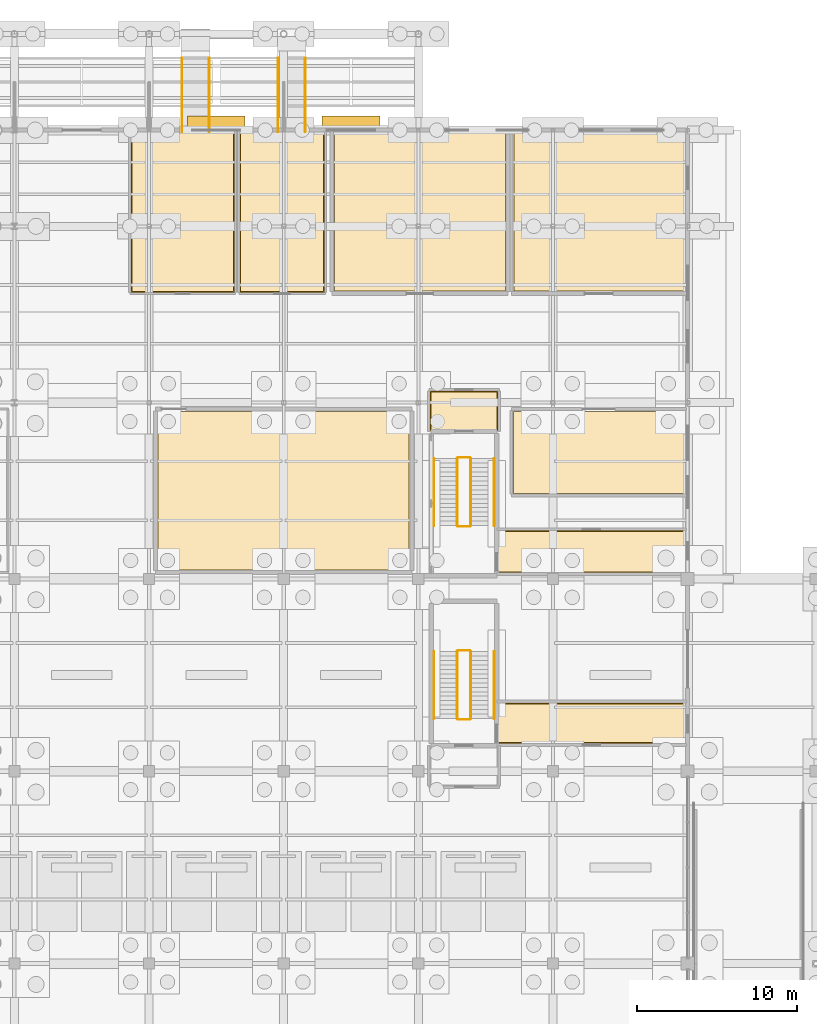
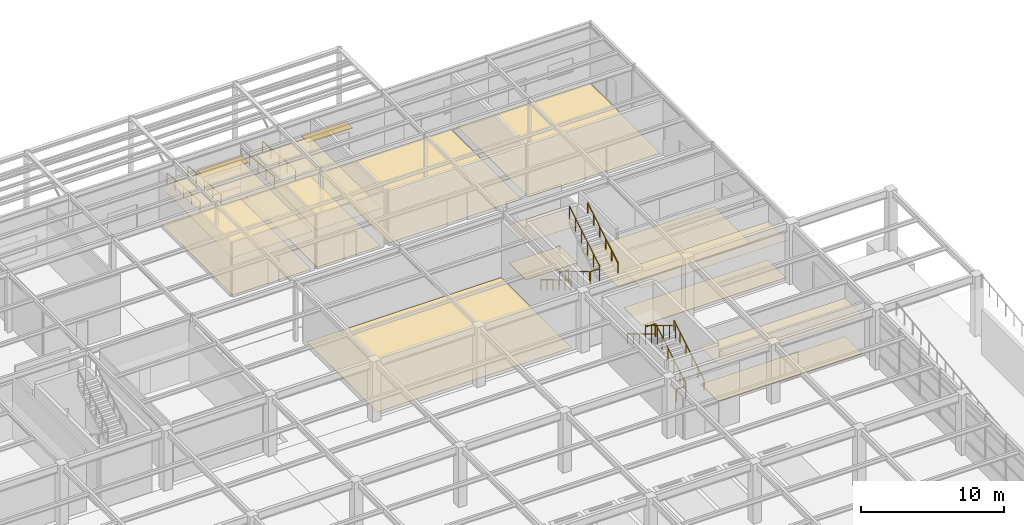
# One storey, part 128 of 129: 16 railings, 14 coverings, 2 shading devices.
"""IFC4 building model written with IfcOpenShell, lengths in metres."""

from ifc_helpers import new_model, si_unit, direction, frame, origin, origin_2d, place, context, subcontext, project, spatial, polyline, rectangle, circle, outline, extrude, material, layer, layer_set, type_object, element, save


model = new_model("IFC4")

# Units and contexts
model_context = context("Model", 3, precision=1e-05, world=origin(), true_north=direction((0.0, 1.0)))
body_context = subcontext(model_context, "Body", "Model", "MODEL_VIEW")
ifc_project = project(units=[si_unit("LENGTHUNIT", "METRE"), si_unit("AREAUNIT", "SQUARE_METRE"), si_unit("VOLUMEUNIT", "CUBIC_METRE"), si_unit("PLANEANGLEUNIT", "RADIAN"), si_unit("MASSUNIT", "GRAM", prefix="KILO")], contexts=[model_context])

# Site, building, storey
site_placement = place(None, origin())
site = spatial("IfcSite", under=ifc_project, at=site_placement, CompositionType="ELEMENT")
building_placement = place(site_placement, origin())
building = spatial("IfcBuilding", under=site, at=building_placement, Name="Sitalva Quay Ferry Terminal", CompositionType="ELEMENT")
storey_placement = place(building_placement, origin())
storey = spatial("IfcBuildingStorey", under=building, at=storey_placement, Name="L01", CompositionType="ELEMENT", Elevation=0.0)

# Coverings
ifc_material_1 = material(Name="Moisture-Resistant Acoustic Gypsum Ceiling", Category="gypsum")
ifc_layer_1 = layer(ifc_material_1, 0.02490234375)
ifc_layer_set_1 = layer_set([ifc_layer_1], Name="Moisture-Resistant Acoustic Gypsum Ceiling")
covering_type_1 = type_object("IfcCoveringType", Name="Ceiling_GypsumMoisture_25", PredefinedType="CEILING", material=ifc_layer_set_1)
covering_1_placement = place(storey_placement, frame((0.0, 0.0, 3.22509765625)))
element("IfcCovering", 1, at=covering_1_placement, inside=storey, type_object=covering_type_1, Name="Firefighting & Lift Lobby C10 ceiling", PredefinedType="CEILING", context=body_context, shape_type="SweptSolid", body=[
    extrude(outline(polyline([(151.93994140625, 87.239990234375), (156.159912109375, 87.239990234375), (156.159912109375, 89.7099609375), (151.93994140625, 89.7099609375), (151.93994140625, 87.239990234375)])), origin(), (0.0, 0.0, 1.0), 0.02490234375),
])
covering_2_placement = place(storey_placement, frame((0.0, 0.0, 3.22509765625)))
element("IfcCovering", 2, at=covering_2_placement, inside=storey, type_object=covering_type_1, Name="Protected Exit Passage ST-09 ceiling", PredefinedType="CEILING", context=body_context, shape_type="SweptSolid", body=[
    extrude(outline(polyline([(156.139892578125, 67.739990234375), (167.8798828125, 67.739990234375), (167.8798828125, 70.260009765625), (156.139892578125, 70.260009765625), (156.139892578125, 67.739990234375)])), origin(), (0.0, 0.0, 1.0), 0.02490234375),
])
covering_3_placement = place(storey_placement, frame((0.0, 0.0, 3.22509765625)))
element("IfcCovering", 3, at=covering_3_placement, inside=storey, type_object=covering_type_1, Name="Protected Exit Passage ST-10 ceiling", PredefinedType="CEILING", context=body_context, shape_type="SweptSolid", body=[
    extrude(outline(polyline([(156.139892578125, 78.389892578125), (167.8798828125, 78.389892578125), (167.8798828125, 81.010009765625), (156.139892578125, 81.010009765625), (156.139892578125, 78.389892578125)])), origin(), (0.0, 0.0, 1.0), 0.02490234375),
])
covering_4_placement = place(storey_placement, frame((0.0, 0.0, 3.22509765625)))
element("IfcCovering", 4, at=covering_4_placement, inside=storey, type_object=covering_type_1, Name="East Concourse Female Public Toilets ceiling", PredefinedType="CEILING", context=body_context, shape_type="SweptSolid", body=[
    extrude(outline(polyline([(133.27001953125, 95.8701171875), (139.72998046875, 95.8701171875), (139.72998046875, 105.8798828125), (133.27001953125, 105.8798828125), (133.27001953125, 95.8701171875)])), origin(), (0.0, 0.0, 1.0), 0.02490234375),
])
covering_5_placement = place(storey_placement, frame((0.0, 0.0, 3.22509765625)))
element("IfcCovering", 5, at=covering_5_placement, inside=storey, type_object=covering_type_1, Name="East Concourse Accessible WC ceiling", PredefinedType="CEILING", context=body_context, shape_type="SweptSolid", body=[
    extrude(outline(polyline([(140.070068359375, 95.8701171875), (145.330078125, 95.8701171875), (145.330078125, 105.8798828125), (140.070068359375, 105.8798828125), (140.070068359375, 95.8701171875)])), origin(), (0.0, 0.0, 1.0), 0.02490234375),
])
ifc_material_2 = material(Name="Anti-Slip Porcelain Tile", Category="ceramic")
ifc_layer_2 = layer(ifc_material_2, 0.02001953125)
ifc_layer_set_2 = layer_set([ifc_layer_2], Name="Anti-Slip Porcelain Tile")
covering_type_2 = type_object("IfcCoveringType", Name="Finish_CeramicWet_20", PredefinedType="FLOORING", material=ifc_layer_set_2)
covering_6_placement = place(storey_placement, origin())
element("IfcCovering", 6, at=covering_6_placement, inside=storey, type_object=covering_type_2, Name="East Concourse Female Public Toilets floor finish", PredefinedType="FLOORING", context=body_context, shape_type="SweptSolid", body=[
    extrude(outline(polyline([(133.320068359375, 95.919921875), (139.679931640625, 95.919921875), (139.679931640625, 105.830078125), (133.320068359375, 105.830078125), (133.320068359375, 95.919921875)])), origin(), (0.0, 0.0, 1.0), 0.02001953125),
])
covering_7_placement = place(storey_placement, origin())
element("IfcCovering", 7, at=covering_7_placement, inside=storey, type_object=covering_type_2, Name="East Concourse Accessible WC floor finish", PredefinedType="FLOORING", context=body_context, shape_type="SweptSolid", body=[
    extrude(outline(polyline([(140.1201171875, 95.919921875), (145.280029296875, 95.919921875), (145.280029296875, 105.830078125), (140.1201171875, 105.830078125), (140.1201171875, 95.919921875)])), origin(), (0.0, 0.0, 1.0), 0.02001953125),
])
ifc_material_3 = material(Name="Chemical-Resistant Epoxy Screed", Category="polymer")
ifc_layer_3 = layer(ifc_material_3, 0.011962890625)
ifc_layer_set_3 = layer_set([ifc_layer_3], Name="Chemical-Resistant Epoxy Screed")
covering_type_3 = type_object("IfcCoveringType", Name="Finish_EpoxyPlant_12", PredefinedType="FLOORING", material=ifc_layer_set_3)
covering_8_placement = place(storey_placement, origin())
element("IfcCovering", 8, at=covering_8_placement, inside=storey, type_object=covering_type_3, Name="HV Electrical Substation & Switchroom floor finish", PredefinedType="FLOORING", context=body_context, shape_type="SweptSolid", body=[
    extrude(outline(polyline([(145.969970703125, 95.969970703125), (156.6298828125, 95.969970703125), (156.6298828125, 105.830078125), (145.969970703125, 105.830078125), (145.969970703125, 95.969970703125)])), origin(), (0.0, 0.0, 1.0), 0.011962890625),
])
covering_9_placement = place(storey_placement, origin())
element("IfcCovering", 9, at=covering_9_placement, inside=storey, type_object=covering_type_3, Name="Water-Cooled Chiller & Pump Plant Room floor finish", PredefinedType="FLOORING", context=body_context, shape_type="SweptSolid", body=[
    extrude(outline(polyline([(157.169921875, 95.969970703125), (167.830078125, 95.969970703125), (167.830078125, 105.830078125), (157.169921875, 105.830078125), (157.169921875, 95.969970703125)])), origin(), (0.0, 0.0, 1.0), 0.011962890625),
])
covering_10_placement = place(storey_placement, origin())
element("IfcCovering", 10, at=covering_10_placement, inside=storey, type_object=covering_type_3, Name="Standby Generator & Sprinkler Pump Hall floor finish", PredefinedType="FLOORING", context=body_context, shape_type="SweptSolid", body=[
    extrude(outline(polyline([(134.969970703125, 78.570068359375), (150.6298828125, 78.570068359375), (150.6298828125, 88.429931640625), (134.969970703125, 88.429931640625), (134.969970703125, 78.570068359375)])), origin(), (0.0, 0.0, 1.0), 0.011962890625),
])
covering_11_placement = place(storey_placement, origin())
element("IfcCovering", 11, at=covering_11_placement, inside=storey, type_object=covering_type_3, Name="Refuse Compactor & Dock Store floor finish", PredefinedType="FLOORING", context=body_context, shape_type="SweptSolid", body=[
    extrude(outline(polyline([(157.139892578125, 83.340087890625), (167.830078125, 83.340087890625), (167.830078125, 88.4599609375), (157.139892578125, 88.4599609375), (157.139892578125, 83.340087890625)])), origin(), (0.0, 0.0, 1.0), 0.011962890625),
])
ifc_material_4 = material(Name="Flamed Non-Slip Granite Paving", Category="masonry")
ifc_layer_4 = layer(ifc_material_4, 0.034912109375)
ifc_layer_set_4 = layer_set([ifc_layer_4], Name="Flamed Non-Slip Granite Paving")
covering_type_4 = type_object("IfcCoveringType", Name="Finish_Granite_35", PredefinedType="FLOORING", material=ifc_layer_set_4)
covering_12_placement = place(storey_placement, origin())
element("IfcCovering", 12, at=covering_12_placement, inside=storey, type_object=covering_type_4, Name="Firefighting & Lift Lobby C10 floor finish", PredefinedType="FLOORING", context=body_context, shape_type="SweptSolid", body=[
    extrude(outline(polyline([(151.989990234375, 87.2900390625), (156.110107421875, 87.2900390625), (156.110107421875, 89.659912109375), (151.989990234375, 89.659912109375), (151.989990234375, 87.2900390625)])), origin(), (0.0, 0.0, 1.0), 0.034912109375),
])
covering_13_placement = place(storey_placement, origin())
element("IfcCovering", 13, at=covering_13_placement, inside=storey, type_object=covering_type_4, Name="Protected Exit Passage ST-09 floor finish", PredefinedType="FLOORING", context=body_context, shape_type="SweptSolid", body=[
    extrude(outline(polyline([(156.18994140625, 67.7900390625), (167.830078125, 67.7900390625), (167.830078125, 70.2099609375), (156.18994140625, 70.2099609375), (156.18994140625, 67.7900390625)])), origin(), (0.0, 0.0, 1.0), 0.034912109375),
])
covering_14_placement = place(storey_placement, origin())
element("IfcCovering", 14, at=covering_14_placement, inside=storey, type_object=covering_type_4, Name="Protected Exit Passage ST-10 floor finish", PredefinedType="FLOORING", context=body_context, shape_type="SweptSolid", body=[
    extrude(outline(polyline([(156.18994140625, 78.43994140625), (167.830078125, 78.43994140625), (167.830078125, 80.9599609375), (156.18994140625, 80.9599609375), (156.18994140625, 78.43994140625)])), origin(), (0.0, 0.0, 1.0), 0.034912109375),
])

# Railings
ifc_material_5 = material(Name="Galvanised Steel S275JR", Category="steel")
railing_type_1 = type_object("IfcRailingType", Name="Railing_Guard_1100", PredefinedType="GUARDRAIL", material=ifc_material_5)
railing_1_placement = place(storey_placement, frame((154.469970703125, 69.280029296875, 0.168701171875)))
element("IfcRailing", 15, at=railing_1_placement, inside=storey, type_object=railing_type_1, Name="L01 ST-09 stair guard 1", PredefinedType="GUARDRAIL", context=body_context, shape_type="SweptSolid", body=[
    extrude(circle(Radius=0.02392578125, at=origin_2d()), frame((0.0, 0.0, 1.076171875), z_axis=(0.0, 0.856476492594, 0.516186030065), x_axis=(-1.0, 0.0, 0.0)), (0.0, 0.0, 1.0), 4.90380859375),
    extrude(circle(Radius=0.02099609375, at=origin_2d()), origin(), (0.0, 0.0, 1.0), 1.052001953125),
    extrude(circle(Radius=0.02099609375, at=origin_2d()), frame((0.0, 0.840087890625, 0.50634765625)), (0.0, 0.0, 1.0), 1.052001953125),
    extrude(circle(Radius=0.02099609375, at=origin_2d()), frame((0.0, 1.679931640625, 1.012451171875)), (0.0, 0.0, 1.0), 1.052001953125),
    extrude(circle(Radius=0.02099609375, at=origin_2d()), frame((0.0, 2.52001953125, 1.518798828125)), (0.0, 0.0, 1.0), 1.052001953125),
    extrude(circle(Radius=0.02099609375, at=origin_2d()), frame((0.0, 3.35986328125, 2.02490234375)), (0.0, 0.0, 1.0), 1.052001953125),
    extrude(circle(Radius=0.02099609375, at=origin_2d()), frame((0.0, 4.199951171875, 2.53125)), (0.0, 0.0, 1.0), 1.052001953125),
])
railing_2_placement = place(storey_placement, frame((154.419921875, 73.530029296875, 2.699951171875)))
element("IfcRailing", 16, at=railing_2_placement, inside=storey, type_object=railing_type_1, Name="L01 ST-09 stair guard 2", PredefinedType="GUARDRAIL", context=body_context, shape_type="SweptSolid", body=[
    extrude(circle(Radius=0.02392578125, at=origin_2d()), frame((0.0, 0.0, 1.076171875), z_axis=(-1.0, 0.0, 0.0), x_axis=(0.0, -1.0, 0.0)), (0.0, 0.0, 1.0), 0.739990234375),
    extrude(circle(Radius=0.02099609375, at=origin_2d()), origin(), (0.0, 0.0, 1.0), 1.052001953125),
    extrude(circle(Radius=0.02099609375, at=origin_2d()), frame((-0.739990234375, 0.0, 0.0)), (0.0, 0.0, 1.0), 1.052001953125),
])
railing_3_placement = place(storey_placement, frame((153.6298828125, 73.47998046875, 2.86865234375)))
element("IfcRailing", 17, at=railing_3_placement, inside=storey, type_object=railing_type_1, Name="L01 ST-09 stair guard 3", PredefinedType="GUARDRAIL", context=body_context, shape_type="SweptSolid", body=[
    extrude(circle(Radius=0.02392578125, at=origin_2d()), frame((0.0, 0.0, 1.076171875), z_axis=(0.0, -0.856476492594, 0.516186030065), x_axis=(1.0, 0.0, 0.0)), (0.0, 0.0, 1.0), 4.90380859375),
    extrude(circle(Radius=0.02099609375, at=origin_2d()), origin(), (0.0, 0.0, 1.0), 1.052001953125),
    extrude(circle(Radius=0.02099609375, at=origin_2d()), frame((0.0, -0.840087890625, 0.50634765625)), (0.0, 0.0, 1.0), 1.052001953125),
    extrude(circle(Radius=0.02099609375, at=origin_2d()), frame((0.0, -1.679931640625, 1.012451171875)), (0.0, 0.0, 1.0), 1.052001953125),
    extrude(circle(Radius=0.02099609375, at=origin_2d()), frame((0.0, -2.52001953125, 1.518798828125)), (0.0, 0.0, 1.0), 1.052001953125),
    extrude(circle(Radius=0.02099609375, at=origin_2d()), frame((0.0, -3.35986328125, 2.02490234375)), (0.0, 0.0, 1.0), 1.052001953125),
    extrude(circle(Radius=0.02099609375, at=origin_2d()), frame((0.0, -4.199951171875, 2.53125)), (0.0, 0.0, 1.0), 1.052001953125),
])
railing_4_placement = place(storey_placement, frame((154.419921875, 69.22998046875, 0.0)))
element("IfcRailing", 18, at=railing_4_placement, inside=storey, type_object=railing_type_1, Name="L01 ST-09 stair guard 4", PredefinedType="GUARDRAIL", context=body_context, shape_type="SweptSolid", body=[
    extrude(circle(Radius=0.02392578125, at=origin_2d()), frame((0.0, 0.0, 1.076171875), z_axis=(-1.0, 0.0, 0.0), x_axis=(0.0, -1.0, 0.0)), (0.0, 0.0, 1.0), 0.739990234375),
    extrude(circle(Radius=0.02099609375, at=origin_2d()), origin(), (0.0, 0.0, 1.0), 1.052001953125),
    extrude(circle(Radius=0.02099609375, at=origin_2d()), frame((-0.739990234375, 0.0, 0.0)), (0.0, 0.0, 1.0), 1.052001953125),
])
railing_5_placement = place(storey_placement, frame((153.6298828125, 85.52001953125, 0.168701171875)))
element("IfcRailing", 19, at=railing_5_placement, inside=storey, type_object=railing_type_1, Name="L01 ST-10 stair guard 1", PredefinedType="GUARDRAIL", context=body_context, shape_type="SweptSolid", body=[
    extrude(circle(Radius=0.02392578125, at=origin_2d()), frame((0.0, 0.0, 1.076171875), z_axis=(0.0, -0.856476492594, 0.516186030065), x_axis=(1.0, 0.0, 0.0)), (0.0, 0.0, 1.0), 4.90380859375),
    extrude(circle(Radius=0.02099609375, at=origin_2d()), origin(), (0.0, 0.0, 1.0), 1.052001953125),
    extrude(circle(Radius=0.02099609375, at=origin_2d()), frame((0.0, -0.840087890625, 0.50634765625)), (0.0, 0.0, 1.0), 1.052001953125),
    extrude(circle(Radius=0.02099609375, at=origin_2d()), frame((0.0, -1.679931640625, 1.012451171875)), (0.0, 0.0, 1.0), 1.052001953125),
    extrude(circle(Radius=0.02099609375, at=origin_2d()), frame((0.0, -2.52001953125, 1.518798828125)), (0.0, 0.0, 1.0), 1.052001953125),
    extrude(circle(Radius=0.02099609375, at=origin_2d()), frame((0.0, -3.35986328125, 2.02490234375)), (0.0, 0.0, 1.0), 1.052001953125),
    extrude(circle(Radius=0.02099609375, at=origin_2d()), frame((0.0, -4.199951171875, 2.53125)), (0.0, 0.0, 1.0), 1.052001953125),
])
railing_6_placement = place(storey_placement, frame((153.679931640625, 81.27001953125, 2.699951171875)))
element("IfcRailing", 20, at=railing_6_placement, inside=storey, type_object=railing_type_1, Name="L01 ST-10 stair guard 2", PredefinedType="GUARDRAIL", context=body_context, shape_type="SweptSolid", body=[
    extrude(circle(Radius=0.02392578125, at=origin_2d()), frame((0.0, 0.0, 1.076171875), z_axis=(1.0, 0.0, 0.0), x_axis=(0.0, 1.0, 0.0)), (0.0, 0.0, 1.0), 0.739990234375),
    extrude(circle(Radius=0.02099609375, at=origin_2d()), origin(), (0.0, 0.0, 1.0), 1.052001953125),
    extrude(circle(Radius=0.02099609375, at=origin_2d()), frame((0.739990234375, 0.0, 0.0)), (0.0, 0.0, 1.0), 1.052001953125),
])
railing_7_placement = place(storey_placement, frame((154.469970703125, 81.320068359375, 2.86865234375)))
element("IfcRailing", 21, at=railing_7_placement, inside=storey, type_object=railing_type_1, Name="L01 ST-10 stair guard 3", PredefinedType="GUARDRAIL", context=body_context, shape_type="SweptSolid", body=[
    extrude(circle(Radius=0.02392578125, at=origin_2d()), frame((0.0, 0.0, 1.076171875), z_axis=(0.0, 0.856476492594, 0.516186030065), x_axis=(-1.0, 0.0, 0.0)), (0.0, 0.0, 1.0), 4.90380859375),
    extrude(circle(Radius=0.02099609375, at=origin_2d()), origin(), (0.0, 0.0, 1.0), 1.052001953125),
    extrude(circle(Radius=0.02099609375, at=origin_2d()), frame((0.0, 0.840087890625, 0.50634765625)), (0.0, 0.0, 1.0), 1.052001953125),
    extrude(circle(Radius=0.02099609375, at=origin_2d()), frame((0.0, 1.679931640625, 1.012451171875)), (0.0, 0.0, 1.0), 1.052001953125),
    extrude(circle(Radius=0.02099609375, at=origin_2d()), frame((0.0, 2.52001953125, 1.518798828125)), (0.0, 0.0, 1.0), 1.052001953125),
    extrude(circle(Radius=0.02099609375, at=origin_2d()), frame((0.0, 3.35986328125, 2.02490234375)), (0.0, 0.0, 1.0), 1.052001953125),
    extrude(circle(Radius=0.02099609375, at=origin_2d()), frame((0.0, 4.199951171875, 2.53125)), (0.0, 0.0, 1.0), 1.052001953125),
])
railing_8_placement = place(storey_placement, frame((153.679931640625, 85.570068359375, 0.0)))
element("IfcRailing", 22, at=railing_8_placement, inside=storey, type_object=railing_type_1, Name="L01 ST-10 stair guard 4", PredefinedType="GUARDRAIL", context=body_context, shape_type="SweptSolid", body=[
    extrude(circle(Radius=0.02392578125, at=origin_2d()), frame((0.0, 0.0, 1.076171875), z_axis=(1.0, 0.0, 0.0), x_axis=(0.0, 1.0, 0.0)), (0.0, 0.0, 1.0), 0.739990234375),
    extrude(circle(Radius=0.02099609375, at=origin_2d()), origin(), (0.0, 0.0, 1.0), 1.052001953125),
    extrude(circle(Radius=0.02099609375, at=origin_2d()), frame((0.739990234375, 0.0, 0.0)), (0.0, 0.0, 1.0), 1.052001953125),
])
ifc_material_6 = material(Name="Stainless Steel 316L", Category="steel")
railing_type_2 = type_object("IfcRailingType", Name="Railing_Handrail_900", PredefinedType="HANDRAIL", material=ifc_material_6)
railing_9_placement = place(storey_placement, frame((155.929931640625, 69.280029296875, 0.168701171875)))
element("IfcRailing", 23, at=railing_9_placement, inside=storey, type_object=railing_type_2, Name="L01 ST-09 stair handrail 1", PredefinedType="HANDRAIL", context=body_context, shape_type="SweptSolid", body=[
    extrude(circle(Radius=0.02392578125, at=origin_2d()), frame((0.0, 0.0, 0.8759765625), z_axis=(0.0, 0.856476492594, 0.516186030065), x_axis=(-1.0, 0.0, 0.0)), (0.0, 0.0, 1.0), 4.90380859375),
    extrude(circle(Radius=0.02099609375, at=origin_2d()), origin(), (0.0, 0.0, 1.0), 0.851806640625),
    extrude(circle(Radius=0.02099609375, at=origin_2d()), frame((0.0, 0.840087890625, 0.50634765625)), (0.0, 0.0, 1.0), 0.851806640625),
    extrude(circle(Radius=0.02099609375, at=origin_2d()), frame((0.0, 1.679931640625, 1.012451171875)), (0.0, 0.0, 1.0), 0.851806640625),
    extrude(circle(Radius=0.02099609375, at=origin_2d()), frame((0.0, 2.52001953125, 1.518798828125)), (0.0, 0.0, 1.0), 0.851806640625),
    extrude(circle(Radius=0.02099609375, at=origin_2d()), frame((0.0, 3.35986328125, 2.02490234375)), (0.0, 0.0, 1.0), 0.851806640625),
    extrude(circle(Radius=0.02099609375, at=origin_2d()), frame((0.0, 4.199951171875, 2.53125)), (0.0, 0.0, 1.0), 0.851806640625),
])
for number, where, name in (
    (24, (152.169921875, 73.47998046875, 2.86865234375), "L01 ST-09 stair handrail 2"),
    (25, (152.169921875, 85.52001953125, 0.168701171875), "L01 ST-10 stair handrail 1"),
):
    element("IfcRailing", number, at=place(storey_placement, frame(where)), inside=storey, type_object=railing_type_2, Name=name, PredefinedType="HANDRAIL", context=body_context, shape_type="SweptSolid", body=[
        extrude(circle(Radius=0.02392578125, at=origin_2d()), frame((0.0, 0.0, 0.8759765625), z_axis=(0.0, -0.856476492594, 0.516186030065), x_axis=(1.0, 0.0, 0.0)), (0.0, 0.0, 1.0), 4.90380859375),
        extrude(circle(Radius=0.02099609375, at=origin_2d()), origin(), (0.0, 0.0, 1.0), 0.851806640625),
        extrude(circle(Radius=0.02099609375, at=origin_2d()), frame((0.0, -0.840087890625, 0.50634765625)), (0.0, 0.0, 1.0), 0.851806640625),
        extrude(circle(Radius=0.02099609375, at=origin_2d()), frame((0.0, -1.679931640625, 1.012451171875)), (0.0, 0.0, 1.0), 0.851806640625),
        extrude(circle(Radius=0.02099609375, at=origin_2d()), frame((0.0, -2.52001953125, 1.518798828125)), (0.0, 0.0, 1.0), 0.851806640625),
        extrude(circle(Radius=0.02099609375, at=origin_2d()), frame((0.0, -3.35986328125, 2.02490234375)), (0.0, 0.0, 1.0), 0.851806640625),
        extrude(circle(Radius=0.02099609375, at=origin_2d()), frame((0.0, -4.199951171875, 2.53125)), (0.0, 0.0, 1.0), 0.851806640625),
    ])
railing_10_placement = place(storey_placement, frame((155.929931640625, 81.320068359375, 2.86865234375)))
element("IfcRailing", 26, at=railing_10_placement, inside=storey, type_object=railing_type_2, Name="L01 ST-10 stair handrail 2", PredefinedType="HANDRAIL", context=body_context, shape_type="SweptSolid", body=[
    extrude(circle(Radius=0.02392578125, at=origin_2d()), frame((0.0, 0.0, 0.8759765625), z_axis=(0.0, 0.856476492594, 0.516186030065), x_axis=(-1.0, 0.0, 0.0)), (0.0, 0.0, 1.0), 4.90380859375),
    extrude(circle(Radius=0.02099609375, at=origin_2d()), origin(), (0.0, 0.0, 1.0), 0.851806640625),
    extrude(circle(Radius=0.02099609375, at=origin_2d()), frame((0.0, 0.840087890625, 0.50634765625)), (0.0, 0.0, 1.0), 0.851806640625),
    extrude(circle(Radius=0.02099609375, at=origin_2d()), frame((0.0, 1.679931640625, 1.012451171875)), (0.0, 0.0, 1.0), 0.851806640625),
    extrude(circle(Radius=0.02099609375, at=origin_2d()), frame((0.0, 2.52001953125, 1.518798828125)), (0.0, 0.0, 1.0), 0.851806640625),
    extrude(circle(Radius=0.02099609375, at=origin_2d()), frame((0.0, 3.35986328125, 2.02490234375)), (0.0, 0.0, 1.0), 0.851806640625),
    extrude(circle(Radius=0.02099609375, at=origin_2d()), frame((0.0, 4.199951171875, 2.53125)), (0.0, 0.0, 1.0), 0.851806640625),
])
for number, where, name in (
    (27, (136.449951171875, 110.5, -0.3798828125), "East landside entrance accessible ramp handrail 1"),
    (28, (138.14990234375, 110.5, -0.3798828125), "East landside entrance accessible ramp handrail 2"),
    (29, (142.449951171875, 110.5, -0.3798828125), "East forecourt arrival accessible ramp handrail 1"),
    (30, (144.14990234375, 110.5, -0.3798828125), "East forecourt arrival accessible ramp handrail 2"),
):
    element("IfcRailing", number, at=place(storey_placement, frame(where)), inside=storey, type_object=railing_type_2, Name=name, PredefinedType="HANDRAIL", context=body_context, shape_type="SweptSolid", body=[
        extrude(circle(Radius=0.02392578125, at=origin_2d()), frame((0.0, 0.0, 0.8759765625), z_axis=(0.0, -0.99660749274, 0.082301308709), x_axis=(1.0, 0.0, 0.0)), (0.0, 0.0, 1.0), 4.61572265625),
        extrude(circle(Radius=0.02099609375, at=origin_2d()), origin(), (0.0, 0.0, 1.0), 0.851806640625),
        extrude(circle(Radius=0.02099609375, at=origin_2d()), frame((0.0, -1.14990234375, 0.094970703125)), (0.0, 0.0, 1.0), 0.851806640625),
        extrude(circle(Radius=0.02099609375, at=origin_2d()), frame((0.0, -2.300048828125, 0.18994140625)), (0.0, 0.0, 1.0), 0.851806640625),
        extrude(circle(Radius=0.02099609375, at=origin_2d()), frame((0.0, -3.4501953125, 0.284912109375)), (0.0, 0.0, 1.0), 0.851806640625),
        extrude(circle(Radius=0.02099609375, at=origin_2d()), frame((0.0, -4.60009765625, 0.3798828125)), (0.0, 0.0, 1.0), 0.851806640625),
    ])

# Shading devices
ifc_material_7 = material(Name="Anodised Marine Aluminium 6063-T6", Category="aluminium")
shading_device_type = type_object("IfcShadingDeviceType", Name="Shade_HorizontalLouvre_900", PredefinedType="USERDEFINED", material=ifc_material_7)
for number, where, z_axis, x_axis, name in (
    (31, (138.60009765625, 106.419921875, 2.70751953125), (0.0, 0.0, 1.0), (1.0, 0.0, 0.0), "Monsoon sunshade canopy BS-029"),
    (32, (147.0, 106.419921875, 2.70751953125), (0.0, 0.0, 1.0), (1.0, 0.0, 0.0), "Monsoon sunshade canopy BS-030"),
):
    element("IfcShadingDevice", number, at=place(storey_placement, frame(where, z_axis=z_axis, x_axis=x_axis)), inside=storey, type_object=shading_device_type, Name=name, ObjectType="SUNSHADE", PredefinedType="USERDEFINED", context=body_context, shape_type="SweptSolid", body=[
        extrude(rectangle(XDim=3.60009765625, YDim=0.89990234375, at=origin_2d()), origin(), (0.0, 0.0, 1.0), 0.0849609375),
    ])

save(model, "model.ifc")
